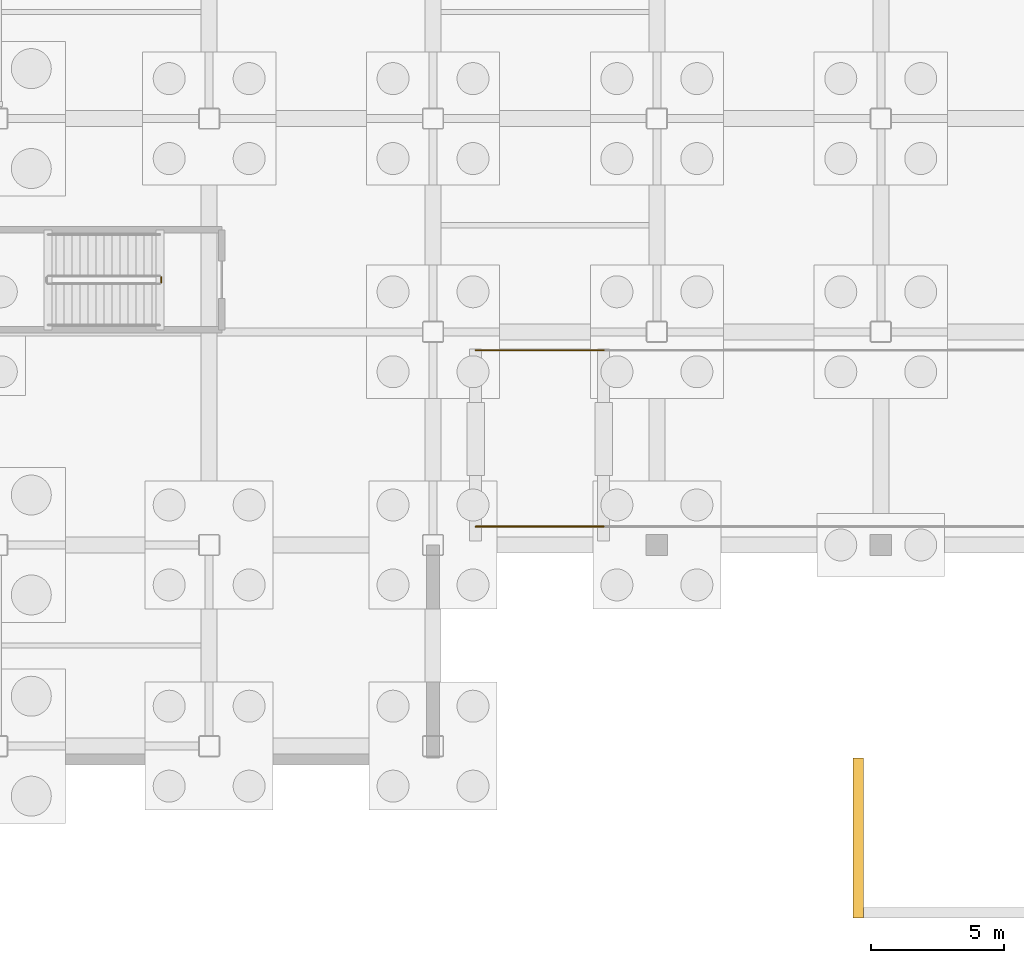
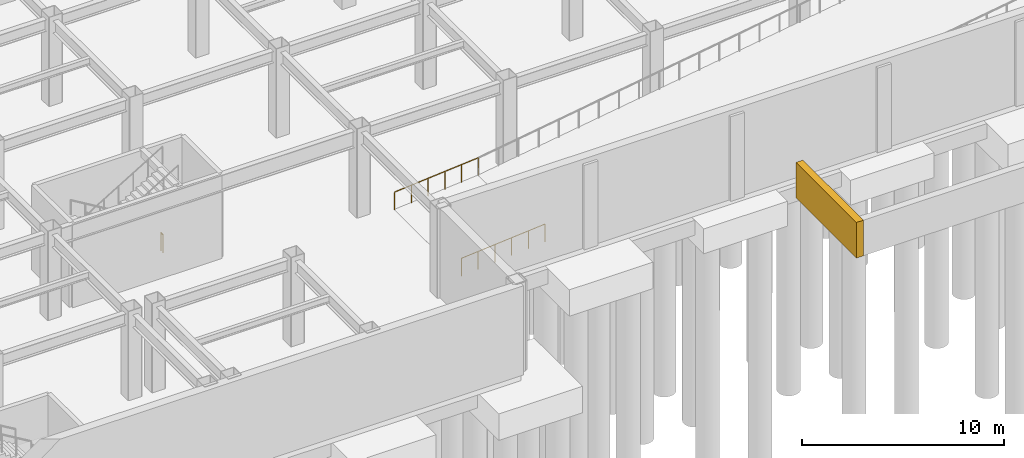
# One storey, part 45 of 55: 3 railings, 1 covering.
"""IFC4 building model written with IfcOpenShell, lengths in metres."""

from ifc_helpers import new_model, si_unit, direction, frame, frame_2d, origin, origin_2d, place, context, subcontext, project, spatial, rectangle, circle, extrude, material, layer, layer_set, type_object, element, save


model = new_model("IFC4")

# Units and contexts
model_context = context("Model", 3, precision=1e-05, world=origin(), true_north=direction((0.0, 1.0)))
body_context = subcontext(model_context, "Body", "Model", "MODEL_VIEW")
ifc_project = project(units=[si_unit("LENGTHUNIT", "METRE"), si_unit("AREAUNIT", "SQUARE_METRE"), si_unit("VOLUMEUNIT", "CUBIC_METRE"), si_unit("PLANEANGLEUNIT", "RADIAN"), si_unit("MASSUNIT", "GRAM", prefix="KILO")], contexts=[model_context])

# Site, building, storey
site_placement = place(None, origin())
site = spatial("IfcSite", under=ifc_project, at=site_placement, CompositionType="ELEMENT")
building_placement = place(site_placement, origin())
building = spatial("IfcBuilding", under=site, at=building_placement, Name="Kazehara Bluff Congress Hotel", CompositionType="ELEMENT")
storey_placement = place(building_placement, frame((0.0, 0.0, -5.39990234375)))
storey = spatial("IfcBuildingStorey", under=building, at=storey_placement, Name="B1", CompositionType="ELEMENT", Elevation=-5.39990234375)

# Railings
ifc_material_1 = material(Name="Painted galvanised steel", Category="steel")
railing_type_1 = type_object("IfcRailingType", Name="TP-GRD-EXT", PredefinedType="BALUSTRADE", material=ifc_material_1)
for number, where, name in (
    (1, (77.64990234375, 8.68994140625, 0.0), "Vehicle ramp R1 side guard F1-S"),
    (2, (77.64990234375, 15.31005859375, 0.0), "Vehicle ramp R1 side guard F1-N"),
):
    element("IfcRailing", number, at=place(storey_placement, frame(where)), inside=storey, type_object=railing_type_1, Name=name, PredefinedType="BALUSTRADE", context=body_context, shape_type="SweptSolid", body=[
        extrude(circle(Radius=0.02392578125, at=origin_2d()), frame((0.0, 0.0, 1.076171875), z_axis=(0.996547505835, 0.0, 0.083024506106), x_axis=(0.0, 1.0, 0.0)), (0.0, 0.0, 1.0), 4.816650390625),
        extrude(circle(Radius=0.02099609375, at=origin_2d()), origin(), (0.0, 0.0, 1.0), 1.052001953125),
        extrude(circle(Radius=0.02099609375, at=origin_2d()), frame((0.9599609375, 0.0, 0.080078125)), (0.0, 0.0, 1.0), 1.052001953125),
        extrude(circle(Radius=0.02099609375, at=origin_2d()), frame((1.919921875, 0.0, 0.159912109375)), (0.0, 0.0, 1.0), 1.052001953125),
        extrude(circle(Radius=0.02099609375, at=origin_2d()), frame((2.880126953125, 0.0, 0.239990234375)), (0.0, 0.0, 1.0), 1.052001953125),
        extrude(circle(Radius=0.02099609375, at=origin_2d()), frame((3.840087890625, 0.0, 0.31982421875)), (0.0, 0.0, 1.0), 1.052001953125),
        extrude(circle(Radius=0.02099609375, at=origin_2d()), frame((4.800048828125, 0.0, 0.39990234375)), (0.0, 0.0, 1.0), 1.052001953125),
    ])
ifc_material_2 = material(Name="Brushed stainless steel", Category="steel")
railing_type_2 = type_object("IfcRailingType", Name="TP-GRD-INT", PredefinedType="GUARDRAIL", material=ifc_material_2)
railing_placement = place(storey_placement, frame((65.85009765625, 18.050048828125, 0.0)))
element("IfcRailing", 3, at=railing_placement, inside=storey, type_object=railing_type_2, Name="B1 ST-08 stair guard 4", PredefinedType="GUARDRAIL", context=body_context, shape_type="SweptSolid", body=[
    extrude(circle(Radius=0.02392578125, at=origin_2d()), frame((0.0, 0.0, 1.076171875), z_axis=(0.0, -1.0, 0.0), x_axis=(1.0, 0.0, 0.0)), (0.0, 0.0, 1.0), 0.199951171875),
    extrude(circle(Radius=0.02099609375, at=origin_2d()), origin(), (0.0, 0.0, 1.0), 1.052001953125),
    extrude(circle(Radius=0.02099609375, at=origin_2d()), frame((0.0, -0.199951171875, 0.0)), (0.0, 0.0, 1.0), 1.052001953125),
])

# Covering
ifc_material_3 = material(Name="Granite ashlar bluff retaining facing", Category="masonry")
ifc_layer = layer(ifc_material_3, 0.39990234375)
ifc_layer_set = layer_set([ifc_layer], Name="Granite ashlar bluff retaining facing")
covering_type = type_object("IfcCoveringType", Name="TP-SITE-SKT", PredefinedType="CLADDING", material=ifc_layer_set)
covering_placement = place(storey_placement, frame((92.0, -6.0, 5.0498046875), z_axis=(0.0, 0.0, 1.0), x_axis=(0.0, 1.0, 0.0)))
element("IfcCovering", 4, at=covering_placement, inside=storey, type_object=covering_type, Name="Osaka bluff granite earthwork retaining facing SKT-S2R", PredefinedType="CLADDING", context=body_context, shape_type="SweptSolid", body=[
    extrude(rectangle(XDim=6.0, YDim=0.39990234375, at=frame_2d((3.0, 0.0))), origin(), (0.0, 0.0, 1.0), 2.150146484375),
])

save(model, "model.ifc")
